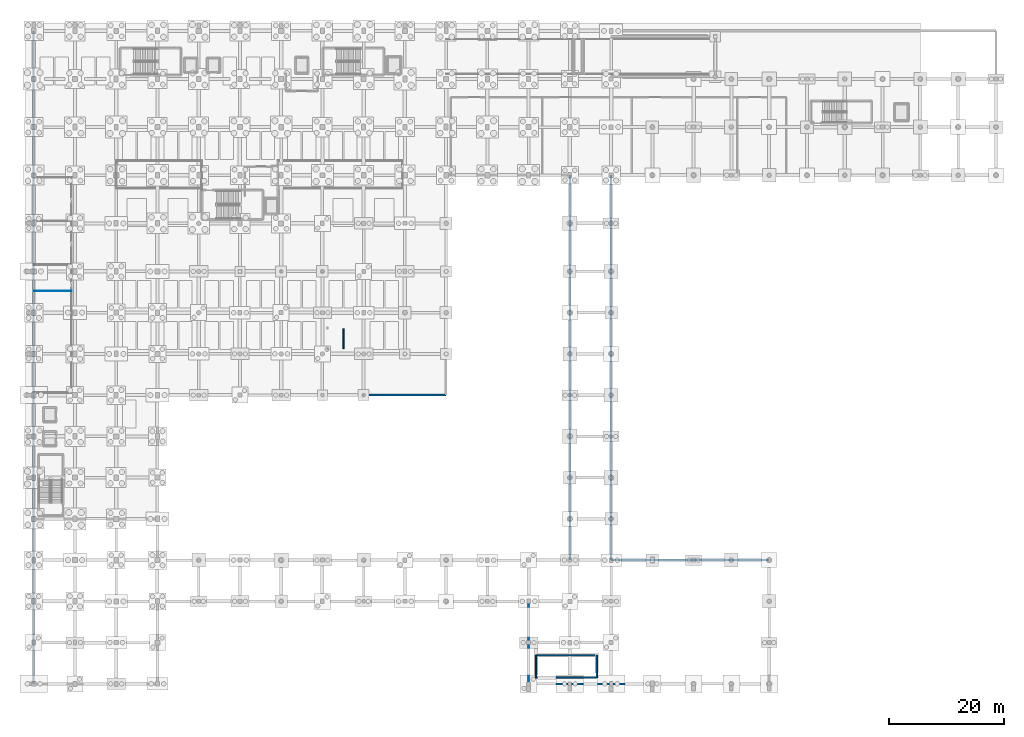
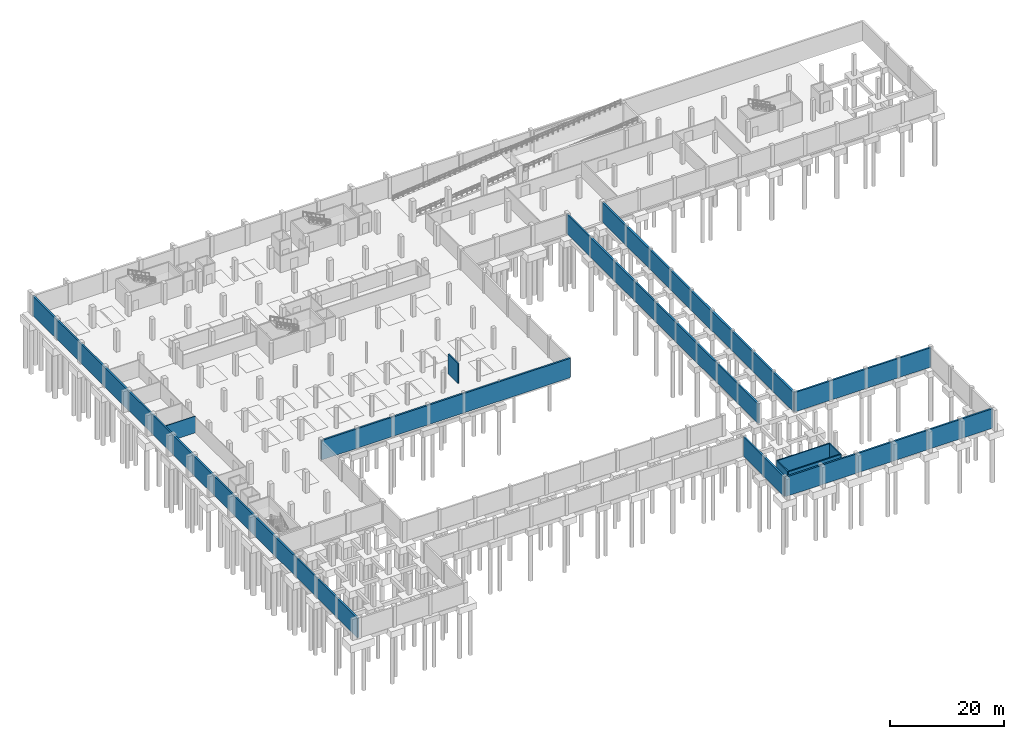
# One storey, part 21 of 35: 13 walls.
"""IFC4 building model written with IfcOpenShell, lengths in metres."""

from ifc_helpers import new_model, si_unit, direction, frame, frame_2d, origin, place, context, subcontext, project, spatial, rectangle, extrude, material, layer, layer_set, type_object, element, save


model = new_model("IFC4")

# Units and contexts
model_context = context("Model", 3, precision=1e-05, world=origin(), true_north=direction((0.0, 1.0)))
body_context = subcontext(model_context, "Body", "Model", "MODEL_VIEW")
ifc_project = project(units=[si_unit("LENGTHUNIT", "METRE"), si_unit("AREAUNIT", "SQUARE_METRE"), si_unit("VOLUMEUNIT", "CUBIC_METRE"), si_unit("PLANEANGLEUNIT", "RADIAN"), si_unit("MASSUNIT", "GRAM", prefix="KILO")], contexts=[model_context])

# Site, building, storey
site_placement = place(None, origin())
site = spatial("IfcSite", under=ifc_project, at=site_placement, CompositionType="ELEMENT")
building_placement = place(site_placement, origin())
building = spatial("IfcBuilding", under=site, at=building_placement, Name="Kalluvel Institute of Natural Sciences", CompositionType="ELEMENT")
storey_placement = place(building_placement, frame((0.0, 0.0, -4.5)))
storey = spatial("IfcBuildingStorey", under=building, at=storey_placement, Name="B1", CompositionType="ELEMENT", Elevation=-4.5)

# Walls
ifc_material_1 = material(Name="Concrete M40", Category="concrete")
ifc_layer_1 = layer(ifc_material_1, 0.25)
ifc_layer_set_1 = layer_set([ifc_layer_1], Name="Concrete M40")
wall_type_1 = type_object("IfcWallType", Name="WL-CORE-250", PredefinedType="SHEAR", material=ifc_layer_set_1)
wall_1_placement = place(storey_placement, frame((101.68505859375, 15.0849609375, 0.0), z_axis=(0.0, 0.0, 1.0), x_axis=(1.0, 0.0, 0.0)))
element("IfcWall", 1, at=wall_1_placement, inside=storey, type_object=wall_type_1, Name="ST7 B1 substructure plinth core wall S", PredefinedType="SHEAR", context=body_context, shape_type="SweptSolid", body=[
    extrude(rectangle(XDim=10.6298828125, YDim=0.25, at=frame_2d((5.31494140625, 0.0))), origin(), (0.0, 0.0, 1.0), 4.215087890625),
])
wall_2_placement = place(storey_placement, frame((112.31494140625, 15.0849609375, 0.0), z_axis=(0.0, 0.0, 1.0), x_axis=(0.0, 1.0, 0.0)))
element("IfcWall", 2, at=wall_2_placement, inside=storey, type_object=wall_type_1, Name="ST7 B1 substructure plinth core wall E", PredefinedType="SHEAR", context=body_context, shape_type="SweptSolid", body=[
    extrude(rectangle(XDim=3.900146484375, YDim=0.25, at=frame_2d((1.9501953125, 0.0))), origin(), (0.0, 0.0, 1.0), 4.215087890625),
])
wall_3_placement = place(storey_placement, frame((112.31494140625, 18.985107421875, 0.0), z_axis=(0.0, 0.0, 1.0), x_axis=(-1.0, 0.0, 0.0)))
element("IfcWall", 3, at=wall_3_placement, inside=storey, type_object=wall_type_1, Name="ST7 B1 substructure plinth core wall N", PredefinedType="SHEAR", context=body_context, shape_type="SweptSolid", body=[
    extrude(rectangle(XDim=10.6298828125, YDim=0.25, at=frame_2d((5.31494140625, 0.0))), origin(), (0.0, 0.0, 1.0), 4.215087890625),
])
wall_4_placement = place(storey_placement, frame((101.68505859375, 18.985107421875, 0.0), z_axis=(0.0, 0.0, 1.0), x_axis=(0.0, -1.0, 0.0)))
element("IfcWall", 4, at=wall_4_placement, inside=storey, type_object=wall_type_1, Name="ST7 B1 substructure plinth core wall W", PredefinedType="SHEAR", context=body_context, shape_type="SweptSolid", body=[
    extrude(rectangle(XDim=3.900146484375, YDim=0.25, at=frame_2d((1.9501953125, 0.0))), origin(), (0.0, 0.0, 1.0), 4.215087890625),
])
ifc_material_2 = material(Name="Acoustic Gypsum Twin-Stud Partition", Category="gypsum")
ifc_layer_2 = layer(ifc_material_2, 0.139892578125)
ifc_layer_set_2 = layer_set([ifc_layer_2], Name="Acoustic Gypsum Twin-Stud Partition")
wall_type_2 = type_object("IfcWallType", Name="WL-PART-140", PredefinedType="PARTITIONING", material=ifc_layer_set_2)
wall_5_placement = place(storey_placement, frame((14.0, 82.60009765625, 0.0), z_axis=(0.0, 0.0, 1.0), x_axis=(1.0, 0.0, 0.0)))
element("IfcWall", 5, at=wall_5_placement, inside=storey, type_object=wall_type_2, Name="B1 interior partition wall WL-INT-B1-0020", PredefinedType="PARTITIONING", context=body_context, shape_type="SweptSolid", body=[
    extrude(rectangle(XDim=6.60009765625, YDim=0.139892578125, at=frame_2d((3.300048828125, 0.0))), origin(), (0.0, 0.0, 1.0), 3.56005859375),
])
ifc_layer_3 = layer(ifc_material_1, 0.35009765625)
ifc_layer_set_3 = layer_set([ifc_layer_3], Name="Concrete M40")
wall_type_3 = type_object("IfcWallType", Name="WL-RET-350", PredefinedType="USERDEFINED", material=ifc_layer_set_3)
wall_6_placement = place(storey_placement, frame((114.800048828125, 35.60009765625, 0.0), z_axis=(0.0, 0.0, 1.0), x_axis=(1.0, 0.0, 0.0)))
element("IfcWall", 6, at=wall_6_placement, inside=storey, type_object=wall_type_3, Name="Basement perimeter plinth retaining wall 5", ObjectType="RETAINING WALL", PredefinedType="USERDEFINED", context=body_context, shape_type="SweptSolid", body=[
    extrude(rectangle(XDim=27.599853515625, YDim=0.35009765625, at=frame_2d((13.7998046875, 0.0))), origin(), (0.0, 0.0, 1.0), 4.159912109375),
])
wall_7_placement = place(storey_placement, frame((100.39990234375, 14.0, 0.0), z_axis=(0.0, 0.0, 1.0), x_axis=(1.0, 0.0, 0.0)))
element("IfcWall", 7, at=wall_7_placement, inside=storey, type_object=wall_type_3, Name="Basement perimeter plinth retaining wall 7", ObjectType="RETAINING WALL", PredefinedType="USERDEFINED", context=body_context, shape_type="SweptSolid", body=[
    extrude(rectangle(XDim=42.0, YDim=0.35009765625, at=frame_2d((21.0, 0.0))), origin(), (0.0, 0.0, 1.0), 4.159912109375),
])
wall_8_placement = place(storey_placement, frame((100.39990234375, 14.0, 0.0), z_axis=(0.0, 0.0, 1.0), x_axis=(0.0, 1.0, 0.0)))
element("IfcWall", 8, at=wall_8_placement, inside=storey, type_object=wall_type_3, Name="Basement perimeter plinth retaining wall 8", ObjectType="RETAINING WALL", PredefinedType="USERDEFINED", context=body_context, shape_type="SweptSolid", body=[
    extrude(rectangle(XDim=14.39990234375, YDim=0.35009765625, at=frame_2d((7.199951171875, 0.0))), origin(), (0.0, 0.0, 1.0), 4.159912109375),
])
wall_9_placement = place(storey_placement, frame((14.0, 14.0, 0.0), z_axis=(0.0, 0.0, 1.0), x_axis=(0.0, 1.0, 0.0)))
element("IfcWall", 9, at=wall_9_placement, inside=storey, type_object=wall_type_3, Name="Basement perimeter plinth retaining wall 12", ObjectType="RETAINING WALL", PredefinedType="USERDEFINED", context=body_context, shape_type="SweptSolid", body=[
    extrude(rectangle(XDim=114.0, YDim=0.35009765625, at=frame_2d((57.0, 0.0))), origin(), (0.0, 0.0, 1.0), 4.159912109375),
])
wall_10_placement = place(storey_placement, frame((107.60009765625, 35.60009765625, 0.0), z_axis=(0.0, 0.0, 1.0), x_axis=(0.0, 1.0, 0.0)))
element("IfcWall", 10, at=wall_10_placement, inside=storey, type_object=wall_type_3, Name="Basement perimeter plinth retaining wall 13", ObjectType="RETAINING WALL", PredefinedType="USERDEFINED", context=body_context, shape_type="SweptSolid", body=[
    extrude(rectangle(XDim=67.199951171875, YDim=0.35009765625, at=frame_2d((33.60009765625, 0.0))), origin(), (0.0, 0.0, 1.0), 4.159912109375),
])
wall_11_placement = place(storey_placement, frame((35.60009765625, 64.39990234375, 0.0), z_axis=(0.0, 0.0, 1.0), x_axis=(1.0, 0.0, 0.0)))
element("IfcWall", 11, at=wall_11_placement, inside=storey, type_object=wall_type_3, Name="Basement perimeter plinth retaining wall 16", ObjectType="RETAINING WALL", PredefinedType="USERDEFINED", context=body_context, shape_type="SweptSolid", body=[
    extrude(rectangle(XDim=50.39990234375, YDim=0.35009765625, at=frame_2d((25.199951171875, 0.0))), origin(), (0.0, 0.0, 1.0), 4.159912109375),
])
ifc_layer_4 = layer(ifc_material_1, 0.39990234375)
ifc_layer_set_4 = layer_set([ifc_layer_4], Name="Concrete M40")
wall_type_4 = type_object("IfcWallType", Name="WL-RET-400", PredefinedType="USERDEFINED", material=ifc_layer_set_4)
wall_12_placement = place(storey_placement, frame((114.800048828125, 35.60009765625, 0.0), z_axis=(0.0, 0.0, 1.0), x_axis=(0.0, 1.0, 0.0)))
element("IfcWall", 12, at=wall_12_placement, inside=storey, type_object=wall_type_4, Name="Basement perimeter plinth retaining wall 4", ObjectType="RETAINING WALL", PredefinedType="USERDEFINED", context=body_context, shape_type="SweptSolid", body=[
    extrude(rectangle(XDim=67.199951171875, YDim=0.39990234375, at=frame_2d((33.60009765625, 0.0))), origin(), (0.0, 0.0, 1.0), 4.159912109375),
])
ifc_layer_5 = layer(ifc_material_1, 0.219970703125)
ifc_layer_set_5 = layer_set([ifc_layer_5], Name="Concrete M40")
wall_type_5 = type_object("IfcWallType", Name="WL-SHAFT-220", PredefinedType="SHEAR", material=ifc_layer_set_5)
wall_13_placement = place(storey_placement, frame((68.10009765625, 72.5, 0.0), z_axis=(0.0, 0.0, 1.0), x_axis=(0.0, 1.0, 0.0)))
element("IfcWall", 13, at=wall_13_placement, inside=storey, type_object=wall_type_5, Name="B1 Atrium feature stair structural fin wall", PredefinedType="SHEAR", context=body_context, shape_type="SweptSolid", body=[
    extrude(rectangle(XDim=3.5, YDim=0.219970703125, at=frame_2d((1.75, 0.0))), origin(), (0.0, 0.0, 1.0), 4.219970703125),
])

save(model, "model.ifc")
